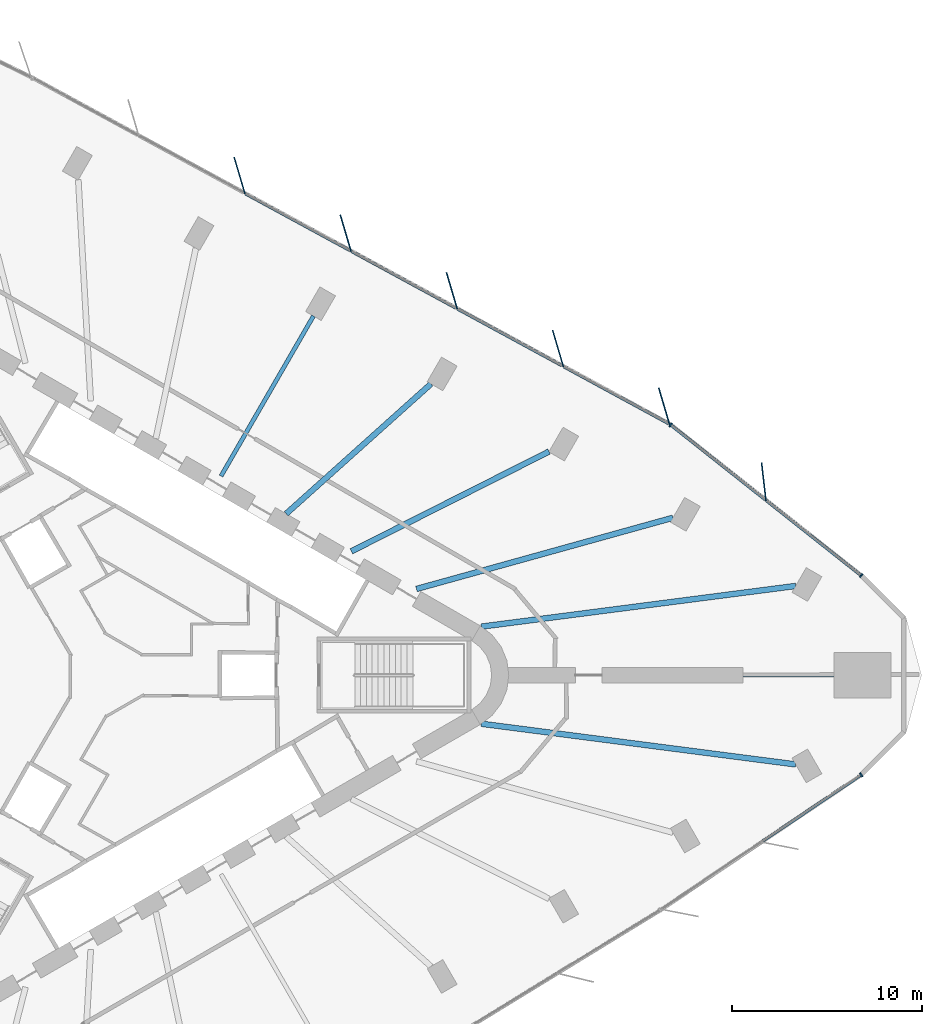
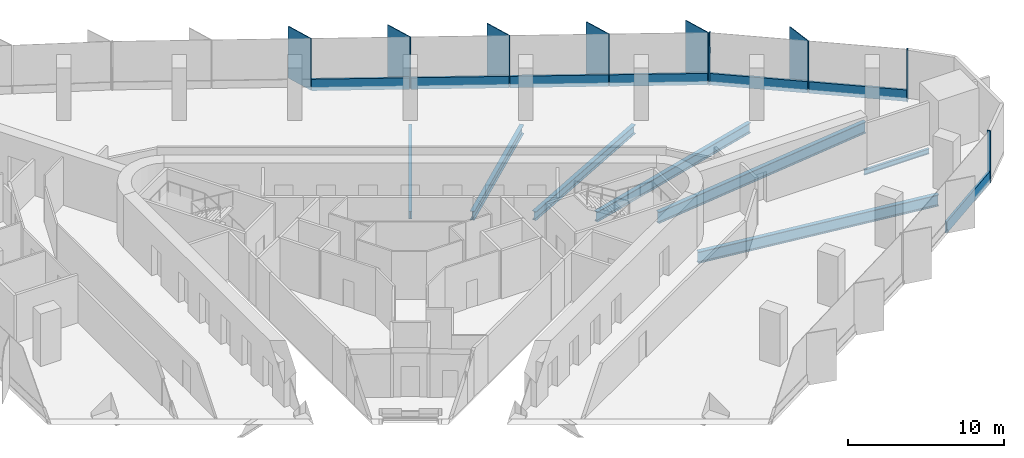
# One storey, part 5 of 14: 16 members, 7 beams, 3 elements without a shape of their own.
"""IFC4 building model written with IfcOpenShell, lengths in metres."""

from ifc_helpers import new_model, si_unit, direction, frame, origin, origin_2d, place, context, subcontext, project, spatial, rectangle, i_section, extrude, material, material_profile, profile_set, type_object, element, aggregate, save


model = new_model("IFC4")

# Units and contexts
model_context = context("Model", 3, precision=1e-05, world=origin(), true_north=direction((0.0, 1.0)))
body_context = subcontext(model_context, "Body", "Model", "MODEL_VIEW")
ifc_project = project(units=[si_unit("LENGTHUNIT", "METRE"), si_unit("AREAUNIT", "SQUARE_METRE"), si_unit("VOLUMEUNIT", "CUBIC_METRE"), si_unit("PLANEANGLEUNIT", "RADIAN"), si_unit("MASSUNIT", "GRAM", prefix="KILO")], contexts=[model_context])

# Site, building, storey
site_placement = place(None, origin())
site = spatial("IfcSite", under=ifc_project, at=site_placement, CompositionType="ELEMENT")
building_placement = place(site_placement, origin())
building = spatial("IfcBuilding", under=site, at=building_placement, Name="Tanit Gate Tower", CompositionType="ELEMENT")
storey_placement = place(building_placement, frame((0.0, 0.0, 152.10009765625)))
storey = spatial("IfcBuildingStorey", under=building, at=storey_placement, Name="L33", CompositionType="ELEMENT", Elevation=152.10009765625)

# Curtain wall, member
ifc_material_1 = material(Name="Aluminium bronze anodised and glass", Category="aluminium")
curtain_wall_type = type_object("IfcCurtainWallType", Name="Curtain wall typical low", PredefinedType="NOTDEFINED", material=ifc_material_1)
curtain_wall_1_placement = place(storey_placement, origin())
curtain_wall_1 = element("IfcCurtainWall", 1, at=curtain_wall_1_placement, inside=storey, type_object=curtain_wall_type, Name="Curtain wall L33 NE1", PredefinedType="NOTDEFINED")
ifc_material_2 = material(Name="Aluminium bronze anodised", Category="aluminium")
ifc_material_profile_1 = material_profile(ifc_material_2, rectangle(XDim=2.0, YDim=0.055908203125, at=origin_2d()), Name="56x2000 bronze fin mullion")
ifc_profile_set_1 = profile_set([ifc_material_profile_1], Name="Aluminium bronze anodised")
member_type_1 = type_object("IfcMemberType", Name="FIN MULLION 56x2000 bronze", PredefinedType="MULLION", material=ifc_profile_set_1)
member_1_placement = place(storey_placement, frame((34.624755859375, 10.18505859375, -0.300048828125), z_axis=(0.0, 0.0, 1.0), x_axis=(0.115806161098, -0.993271832406, 0.0)))
member_1 = element("IfcMember", 2, at=member_1_placement, type_object=member_type_1, Name="Fin mullion L33 NE1.2", PredefinedType="MULLION", context=body_context, shape_type="SweptSolid", body=[
    extrude(rectangle(XDim=2.0, YDim=0.055908203125, at=origin_2d()), origin(), (0.0, 0.0, 1.0), 4.050048828125),
])

# Curtain wall, members
curtain_wall_2_placement = place(storey_placement, origin())
curtain_wall_2 = element("IfcCurtainWall", 3, at=curtain_wall_2_placement, inside=storey, type_object=curtain_wall_type, Name="Curtain wall L33 NE2", PredefinedType="NOTDEFINED")
member_2_placement = place(storey_placement, frame((29.380615234375, 14.161865234375, -0.300048828125), z_axis=(0.0, 0.0, 1.0), x_axis=(0.28377270479, -0.958891574692, 0.0)))
member_2 = element("IfcMember", 4, at=member_2_placement, type_object=member_type_1, Name="Fin mullion L33 NE2.1", PredefinedType="MULLION", context=body_context, shape_type="SweptSolid", body=[
    extrude(rectangle(XDim=2.0, YDim=0.055908203125, at=origin_2d()), origin(), (0.0, 0.0, 1.0), 4.050048828125),
])
member_3_placement = place(storey_placement, frame((23.79248046875, 17.197998046875, -0.300048828125), z_axis=(0.0, 0.0, 1.0), x_axis=(0.28377270479, -0.958891574692, 0.0)))
member_3 = element("IfcMember", 5, at=member_3_placement, type_object=member_type_1, Name="Fin mullion L33 NE2.2", PredefinedType="MULLION", context=body_context, shape_type="SweptSolid", body=[
    extrude(rectangle(XDim=2.0, YDim=0.055908203125, at=origin_2d()), origin(), (0.0, 0.0, 1.0), 4.050048828125),
])
member_4_placement = place(storey_placement, frame((18.2041015625, 20.234130859375, -0.300048828125), z_axis=(0.0, 0.0, 1.0), x_axis=(0.28377270479, -0.958891574692, 0.0)))
member_4 = element("IfcMember", 6, at=member_4_placement, type_object=member_type_1, Name="Fin mullion L33 NE2.3", PredefinedType="MULLION", context=body_context, shape_type="SweptSolid", body=[
    extrude(rectangle(XDim=2.0, YDim=0.055908203125, at=origin_2d()), origin(), (0.0, 0.0, 1.0), 4.050048828125),
])
member_5_placement = place(storey_placement, frame((12.61572265625, 23.27001953125, -0.300048828125), z_axis=(0.0, 0.0, 1.0), x_axis=(0.28377270479, -0.958891574692, 0.0)))
member_5 = element("IfcMember", 7, at=member_5_placement, type_object=member_type_1, Name="Fin mullion L33 NE2.4", PredefinedType="MULLION", context=body_context, shape_type="SweptSolid", body=[
    extrude(rectangle(XDim=2.0, YDim=0.055908203125, at=origin_2d()), origin(), (0.0, 0.0, 1.0), 4.050048828125),
])
member_6_placement = place(storey_placement, frame((7.02734375, 26.30615234375, -0.300048828125), z_axis=(0.0, 0.0, 1.0), x_axis=(0.28377270479, -0.958891574692, 0.0)))
member_6 = element("IfcMember", 8, at=member_6_placement, type_object=member_type_1, Name="Fin mullion L33 NE2.5", PredefinedType="MULLION", context=body_context, shape_type="SweptSolid", body=[
    extrude(rectangle(XDim=2.0, YDim=0.055908203125, at=origin_2d()), origin(), (0.0, 0.0, 1.0), 4.050048828125),
])

# Member
ifc_material_3 = material(Name="Aluminium bronze anodised", Category="aluminium")
ifc_material_profile_2 = material_profile(ifc_material_3, rectangle(XDim=0.239990234375, YDim=0.080078125, at=origin_2d()), Name="80x240 bronze mullion")
ifc_profile_set_2 = profile_set([ifc_material_profile_2], Name="Aluminium bronze anodised")
member_type_2 = type_object("IfcMemberType", Name="Mullion 80x240 typical low", PredefinedType="MULLION", material=ifc_profile_set_2)
member_7_placement = place(storey_placement, frame((39.75146484375, 5.247802734375, -0.300048828125), z_axis=(0.0, 0.0, 1.0), x_axis=(-0.620461926441, -0.784236570072, 0.0)))
member_7 = element("IfcMember", 9, at=member_7_placement, type_object=member_type_2, Name="Mullion L33 NE1.1", PredefinedType="MULLION", context=body_context, shape_type="SweptSolid", body=[
    extrude(rectangle(XDim=0.239990234375, YDim=0.080078125, at=origin_2d()), origin(), (0.0, 0.0, 1.0), 4.050048828125),
])

member_8_placement = place(storey_placement, frame((29.724609375, 13.180908203125, -0.300048828125), z_axis=(0.0, 0.0, 1.0), x_axis=(-0.620461926441, -0.784236570072, 0.0)))
member_8 = element("IfcMember", 10, at=member_8_placement, type_object=member_type_2, Name="Mullion L33 NE1.3", PredefinedType="MULLION", context=body_context, shape_type="SweptSolid", body=[
    extrude(rectangle(XDim=0.239990234375, YDim=0.080078125, at=origin_2d()), origin(), (0.0, 0.0, 1.0), 4.050048828125),
])

# Curtain wall, member
curtain_wall_3_placement = place(storey_placement, origin())
curtain_wall_3 = element("IfcCurtainWall", 11, at=curtain_wall_3_placement, inside=storey, type_object=curtain_wall_type, Name="Curtain wall L33 SE3", PredefinedType="NOTDEFINED")
member_9_placement = place(storey_placement, frame((39.7529296875, -5.2421875, -0.300048828125), z_axis=(0.0, 0.0, 1.0), x_axis=(-0.558407554309, 0.82956675638, 0.0)))
member_9 = element("IfcMember", 12, at=member_9_placement, type_object=member_type_2, Name="Mullion L33 SE3.3", PredefinedType="MULLION", context=body_context, shape_type="SweptSolid", body=[
    extrude(rectangle(XDim=0.239990234375, YDim=0.080078125, at=origin_2d()), origin(), (0.0, 0.0, 1.0), 4.050048828125),
])

# Beams
ifc_material_4 = material(Name="Steel S355", Category="steel")
ifc_material_profile_3 = material_profile(ifc_material_4, i_section(OverallWidth=0.300048828125, OverallDepth=0.68994140625, WebThickness=0.014404296875, FlangeThickness=0.027099609375, FilletRadius=0.027099609375, at=origin_2d()), Name="HEA 700")
ifc_profile_set_3 = profile_set([ifc_material_profile_3], Name="Steel S355")
beam_type_1 = type_object("IfcBeamType", Name="RADIAL GIRDER HEA 700 S355", PredefinedType="BEAM", material=ifc_profile_set_3)
beam_1_placement = place(storey_placement, frame((23.3193359375, 11.774658203125, -0.64501953125), z_axis=(-0.892657080142, -0.450736438811, 0.0), x_axis=(0.450736438811, -0.892657080142, 0.0)))
element("IfcBeam", 13, at=beam_1_placement, inside=storey, type_object=beam_type_1, Name="RADIAL GIRDER", PredefinedType="BEAM", context=body_context, shape_type="SweptSolid", body=[
    extrude(i_section(OverallWidth=0.300048828125, OverallDepth=0.68994140625, WebThickness=0.014404296875, FlangeThickness=0.027099609375, FilletRadius=0.027099609375, at=origin_2d()), origin(), (0.0, 0.0, 1.0), 11.658935546875),
])
beam_2_placement = place(storey_placement, frame((17.104736328125, 15.33447265625, -0.64501953125), z_axis=(-0.744579249177, -0.667534075307, 0.0), x_axis=(0.667534075307, -0.744579249177, 0.0)))
element("IfcBeam", 14, at=beam_2_placement, inside=storey, type_object=beam_type_1, Name="RADIAL GIRDER", PredefinedType="BEAM", context=body_context, shape_type="SweptSolid", body=[
    extrude(i_section(OverallWidth=0.300048828125, OverallDepth=0.68994140625, WebThickness=0.014404296875, FlangeThickness=0.027099609375, FilletRadius=0.027099609375, at=origin_2d()), origin(), (0.0, 0.0, 1.0), 10.23828125),
])
ifc_material_5 = material(Name="Steel S355", Category="steel")
ifc_material_profile_4 = material_profile(ifc_material_5, i_section(OverallWidth=0.300048828125, OverallDepth=0.7900390625, WebThickness=0.014892578125, FlangeThickness=0.028076171875, FilletRadius=0.030029296875, at=origin_2d()), Name="HEA 800")
ifc_profile_set_4 = profile_set([ifc_material_profile_4], Name="Steel S355")
beam_type_2 = type_object("IfcBeamType", Name="RADIAL GIRDER HEA 800 S355", PredefinedType="BEAM", material=ifc_profile_set_4)
beam_3_placement = place(storey_placement, frame((29.841552734375, 8.288330078125, -0.695068359375), z_axis=(-0.9635276455, -0.267608812181, 0.0), x_axis=(0.267608812181, -0.9635276455, 0.0)))
element("IfcBeam", 15, at=beam_3_placement, inside=storey, type_object=beam_type_2, Name="RADIAL GIRDER", PredefinedType="BEAM", context=body_context, shape_type="SweptSolid", body=[
    extrude(i_section(OverallWidth=0.300048828125, OverallDepth=0.7900390625, WebThickness=0.014892578125, FlangeThickness=0.028076171875, FilletRadius=0.030029296875, at=origin_2d()), origin(), (0.0, 0.0, 1.0), 14.01025390625),
])
ifc_material_6 = material(Name="Steel S355", Category="steel")
ifc_material_profile_5 = material_profile(ifc_material_6, i_section(OverallWidth=0.300048828125, OverallDepth=0.889892578125, WebThickness=0.01611328125, FlangeThickness=0.030029296875, FilletRadius=0.030029296875, at=origin_2d()), Name="HEA 900")
ifc_profile_set_5 = profile_set([ifc_material_profile_5], Name="Steel S355")
beam_type_3 = type_object("IfcBeamType", Name="RADIAL GIRDER HEA 900 S355", PredefinedType="BEAM", material=ifc_profile_set_5)
for number, where, z_axis, x_axis, name in (
    (16, (36.302978515625, -4.697509765625, -0.7451171875), (-0.991730467471, 0.128338146668, 0.0), (-0.128338146668, -0.991730467471, 0.0), "RADIAL GIRDER"),
    (17, (36.302978515625, 4.697509765625, -0.7451171875), (-0.991730467471, -0.128338146668, 0.0), (0.128338146668, -0.991730467471, 0.0), "RADIAL GIRDER"),
):
    element("IfcBeam", number, at=place(storey_placement, frame(where, z_axis=z_axis, x_axis=x_axis)), inside=storey, type_object=beam_type_3, Name=name, PredefinedType="BEAM", context=body_context, shape_type="SweptSolid", body=[
        extrude(i_section(OverallWidth=0.300048828125, OverallDepth=0.889892578125, WebThickness=0.01611328125, FlangeThickness=0.030029296875, FilletRadius=0.030029296875, at=origin_2d()), origin(), (0.0, 0.0, 1.0), 16.683349609375),
    ])
ifc_material_7 = material(Name="Steel S355", Category="steel")
ifc_material_profile_6 = material_profile(ifc_material_7, i_section(OverallWidth=0.179931640625, OverallDepth=0.39990234375, WebThickness=0.008544921875, FlangeThickness=0.013427734375, FilletRadius=0.02099609375, at=origin_2d()), Name="IPE 400")
ifc_profile_set_6 = profile_set([ifc_material_profile_6], Name="Steel S355")
beam_type_4 = type_object("IfcBeamType", Name="RADIAL GIRDER IPE 400 S355", PredefinedType="BEAM", material=ifc_profile_set_6)
beam_4_placement = place(storey_placement, frame((38.330078125, 0.0, -0.5), z_axis=(-1.0, 0.0, 0.0), x_axis=(0.0, -1.0, 0.0)))
element("IfcBeam", 18, at=beam_4_placement, inside=storey, type_object=beam_type_4, Name="RADIAL GIRDER", PredefinedType="BEAM", context=body_context, shape_type="SweptSolid", body=[
    extrude(i_section(OverallWidth=0.179931640625, OverallDepth=0.39990234375, WebThickness=0.008544921875, FlangeThickness=0.013427734375, FilletRadius=0.02099609375, at=origin_2d()), origin(), (0.0, 0.0, 1.0), 4.79638671875),
])
ifc_material_8 = material(Name="Steel S355", Category="steel")
ifc_material_profile_7 = material_profile(ifc_material_8, i_section(OverallWidth=0.219970703125, OverallDepth=0.60009765625, WebThickness=0.011962890625, FlangeThickness=0.01904296875, FilletRadius=0.02392578125, at=origin_2d()), Name="IPE 600")
ifc_profile_set_7 = profile_set([ifc_material_profile_7], Name="Steel S355")
beam_type_5 = type_object("IfcBeamType", Name="RADIAL GIRDER IPE 600 S355", PredefinedType="BEAM", material=ifc_profile_set_7)
beam_5_placement = place(storey_placement, frame((10.916259765625, 18.907470703125, -0.60009765625), z_axis=(-0.500003351622, -0.866023468716, 0.0), x_axis=(0.866023468716, -0.500003351622, 0.0)))
element("IfcBeam", 19, at=beam_5_placement, inside=storey, type_object=beam_type_5, Name="RADIAL GIRDER", PredefinedType="BEAM", context=body_context, shape_type="SweptSolid", body=[
    extrude(i_section(OverallWidth=0.219970703125, OverallDepth=0.60009765625, WebThickness=0.011962890625, FlangeThickness=0.01904296875, FilletRadius=0.02392578125, at=origin_2d()), origin(), (0.0, 0.0, 1.0), 9.73046875),
])

# Member
ifc_material_9 = material(Name="Aluminium bronze anodised", Category="aluminium")
ifc_material_profile_8 = material_profile(ifc_material_9, rectangle(XDim=0.159912109375, YDim=0.89990234375, at=origin_2d()), Name="160x900 bronze transom")
ifc_profile_set_8 = profile_set([ifc_material_profile_8], Name="Aluminium bronze anodised")
member_type_3 = type_object("IfcMemberType", Name="Transom 160x900 typical low", PredefinedType="USERDEFINED", material=ifc_profile_set_8)
member_10_placement = place(storey_placement, frame((39.72021484375, 5.272705078125, 0.14990234375), z_axis=(-0.784241840796, 0.620455264419, 0.0), x_axis=(-0.620455264419, -0.784241840796, 0.0)))
member_10 = element("IfcMember", 20, at=member_10_placement, type_object=member_type_3, Name="Transom L33 NE1.1", ObjectType="TRANSOM", PredefinedType="USERDEFINED", context=body_context, shape_type="SweptSolid", body=[
    extrude(rectangle(XDim=0.159912109375, YDim=0.89990234375, at=origin_2d()), origin(), (0.0, 0.0, 1.0), 6.312744140625),
])

member_11_placement = place(storey_placement, frame((34.706787109375, 9.2392578125, 0.14990234375), z_axis=(-0.784256728443, 0.620436446295, 0.0), x_axis=(-0.620436446295, -0.784256728443, 0.0)))
member_11 = element("IfcMember", 21, at=member_11_placement, type_object=member_type_3, Name="Transom L33 NE1.2", ObjectType="TRANSOM", PredefinedType="USERDEFINED", context=body_context, shape_type="SweptSolid", body=[
    extrude(rectangle(XDim=0.159912109375, YDim=0.89990234375, at=origin_2d()), origin(), (0.0, 0.0, 1.0), 6.31298828125),
])

aggregate(curtain_wall_1, [member_7, member_1, member_8, member_10, member_11])

member_12_placement = place(storey_placement, frame((29.623046875, 13.243896484375, 0.14990234375), z_axis=(-0.878701089496, 0.477372386422, 0.0), x_axis=(-0.477372386422, -0.878701089496, 0.0)))
member_12 = element("IfcMember", 22, at=member_12_placement, type_object=member_type_3, Name="Transom L33 NE2.1", ObjectType="TRANSOM", PredefinedType="USERDEFINED", context=body_context, shape_type="SweptSolid", body=[
    extrude(rectangle(XDim=0.159912109375, YDim=0.89990234375, at=origin_2d()), origin(), (0.0, 0.0, 1.0), 6.27978515625),
])

member_13_placement = place(storey_placement, frame((24.03466796875, 16.27978515625, 0.14990234375), z_axis=(-0.878684781584, 0.477402403232, 0.0), x_axis=(-0.477402403232, -0.878684781584, 0.0)))
member_13 = element("IfcMember", 23, at=member_13_placement, type_object=member_type_3, Name="Transom L33 NE2.2", ObjectType="TRANSOM", PredefinedType="USERDEFINED", context=body_context, shape_type="SweptSolid", body=[
    extrude(rectangle(XDim=0.159912109375, YDim=0.89990234375, at=origin_2d()), origin(), (0.0, 0.0, 1.0), 6.280029296875),
])

member_14_placement = place(storey_placement, frame((18.4462890625, 19.31591796875, 0.14990234375), z_axis=(-0.878701089496, 0.477372386422, 0.0), x_axis=(-0.477372386422, -0.878701089496, 0.0)))
member_14 = element("IfcMember", 24, at=member_14_placement, type_object=member_type_3, Name="Transom L33 NE2.3", ObjectType="TRANSOM", PredefinedType="USERDEFINED", context=body_context, shape_type="SweptSolid", body=[
    extrude(rectangle(XDim=0.159912109375, YDim=0.89990234375, at=origin_2d()), origin(), (0.0, 0.0, 1.0), 6.27978515625),
])

member_15_placement = place(storey_placement, frame((12.85791015625, 22.35205078125, 0.14990234375), z_axis=(-0.878701089496, 0.477372386422, 0.0), x_axis=(-0.477372386422, -0.878701089496, 0.0)))
member_15 = element("IfcMember", 25, at=member_15_placement, type_object=member_type_3, Name="Transom L33 NE2.4", ObjectType="TRANSOM", PredefinedType="USERDEFINED", context=body_context, shape_type="SweptSolid", body=[
    extrude(rectangle(XDim=0.159912109375, YDim=0.89990234375, at=origin_2d()), origin(), (0.0, 0.0, 1.0), 6.27978515625),
])

aggregate(curtain_wall_2, [member_2, member_3, member_4, member_5, member_6, member_12, member_13, member_14, member_15])

member_16_placement = place(storey_placement, frame((34.525634765625, -8.7607421875, 0.14990234375), z_axis=(0.829564474487, 0.55841094426, 0.0), x_axis=(-0.55841094426, 0.829564474487, 0.0)))
member_16 = element("IfcMember", 26, at=member_16_placement, type_object=member_type_3, Name="Transom L33 SE3.2", ObjectType="TRANSOM", PredefinedType="USERDEFINED", context=body_context, shape_type="SweptSolid", body=[
    extrude(rectangle(XDim=0.159912109375, YDim=0.89990234375, at=origin_2d()), origin(), (0.0, 0.0, 1.0), 6.26123046875),
])

aggregate(curtain_wall_3, [member_9, member_16])

save(model, "model.ifc")
